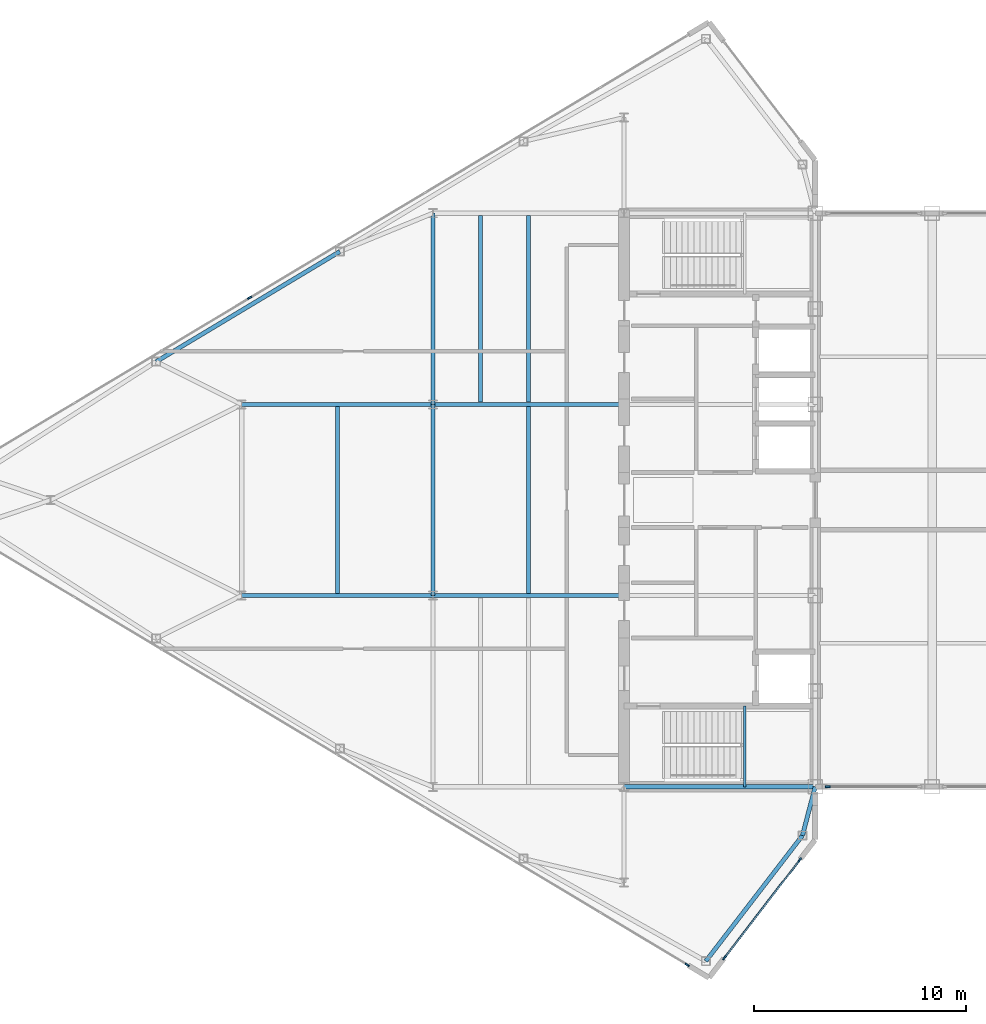
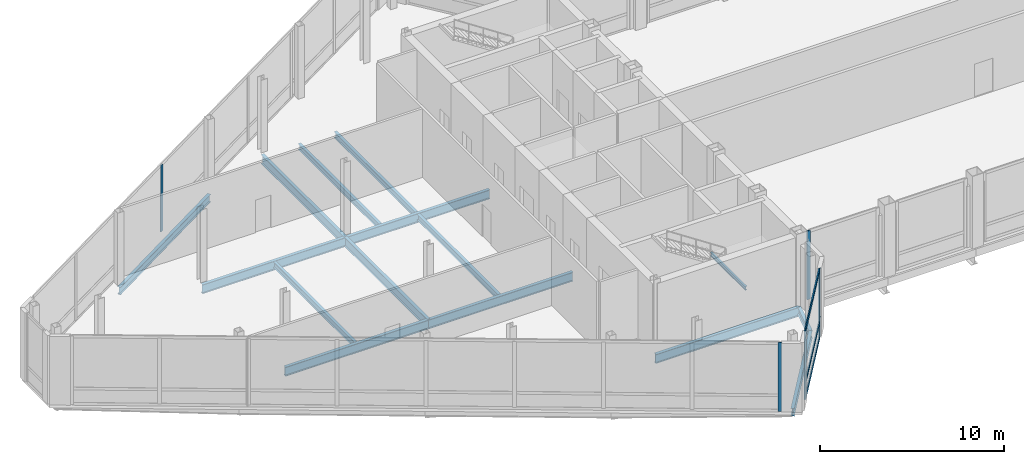
# One storey, part 9 of 29: 15 beams, 8 members, 4 elements without a shape of their own.
"""IFC4 building model written with IfcOpenShell, lengths in metres."""

from ifc_helpers import new_model, si_unit, direction, frame, origin, origin_2d, place, context, subcontext, project, spatial, rectangle, i_section, extrude, source, transform, mapped, material, layer, layer_set, material_profile, profile_set, type_object, type_shapes, element, aggregate, save


model = new_model("IFC4")

# Units and contexts
model_context = context("Model", 3, precision=1e-05, world=origin(), true_north=direction((0.0, 1.0)))
body_context = subcontext(model_context, "Body", "Model", "MODEL_VIEW")
ifc_project = project(units=[si_unit("LENGTHUNIT", "METRE"), si_unit("AREAUNIT", "SQUARE_METRE"), si_unit("VOLUMEUNIT", "CUBIC_METRE"), si_unit("PLANEANGLEUNIT", "RADIAN"), si_unit("MASSUNIT", "GRAM", prefix="KILO")], contexts=[model_context])

# Site, building, storey
site_placement = place(None, origin())
site = spatial("IfcSite", under=ifc_project, at=site_placement, CompositionType="ELEMENT")
building_placement = place(site_placement, origin())
building = spatial("IfcBuilding", under=site, at=building_placement, Name="Seokmaru Belvedere", CompositionType="ELEMENT")
storey_placement = place(building_placement, frame((0.0, 0.0, 269.39990234375)))
storey = spatial("IfcBuildingStorey", under=building, at=storey_placement, Name="L71", CompositionType="ELEMENT", Elevation=269.39990234375)

# Beams
ifc_material_1 = material(Name="Steel SM355 (355 MPa)", Category="steel")
ifc_material_profile_1 = material_profile(ifc_material_1, i_section(OverallWidth=0.199951171875, OverallDepth=0.60009765625, WebThickness=0.010986328125, FlangeThickness=0.01708984375, at=origin_2d()), Name="H-600x200x11x17")
ifc_profile_set_1 = profile_set([ifc_material_profile_1], Name="Steel SM355 (355 MPa)")
beam_type_1 = type_object("IfcBeamType", Name="Primary Floor Girder H-600", PredefinedType="BEAM", material=ifc_profile_set_1)
shared_shape_1 = source(origin(), body_context, "Body", "SweptSolid", [
    extrude(i_section(OverallWidth=0.199951171875, OverallDepth=0.60009765625, WebThickness=0.010986328125, FlangeThickness=0.01708984375, at=origin_2d()), origin(), (0.0, 0.0, 1.0), 9.0),
])
type_shapes(beam_type_1, [shared_shape_1])
for number, where, z_axis, x_axis, name in (
    (1, (-45.5, -4.5, -0.559814453125), (0.0, 1.0, 0.0), (-1.0, 0.0, 0.0), "L71 W Interior Grid Girder 2"),
    (2, (-45.5, 4.5, -0.559814453125), (0.0, 1.0, 0.0), (-1.0, 0.0, 0.0), "L71 W Interior Grid Girder 3"),
    (3, (-36.5, -13.5, -0.559814453125), (1.0, 0.0, 0.0), (0.0, 1.0, 0.0), "L71 W Core Tie Girder 1"),
    (4, (-45.5, -4.5, -0.559814453125), (1.0, 0.0, 0.0), (0.0, 1.0, 0.0), "L71 W Wing Primary Girder 2"),
    (5, (-45.5, 4.5, -0.559814453125), (1.0, 0.0, 0.0), (0.0, 1.0, 0.0), "L71 W Wing Primary Girder 3"),
    (6, (-54.5, -4.5, -0.559814453125), (1.0, 0.0, 0.0), (0.0, 1.0, 0.0), "L71 W Outer Wing Girder 1"),
    (7, (-54.5, 4.5, -0.559814453125), (1.0, 0.0, 0.0), (0.0, 1.0, 0.0), "L71 W Outer Wing Girder 2"),
):
    element("IfcBeam", number, at=place(storey_placement, frame(where, z_axis=z_axis, x_axis=x_axis)), inside=storey, type_object=beam_type_1, Name=name, PredefinedType="BEAM", context=body_context, shape_type="MappedRepresentation", body=[
        mapped(shared_shape_1, transform((0.0, 0.0, 0.0), scale=1.0)),
    ])
ifc_material_profile_2 = material_profile(ifc_material_1, i_section(OverallWidth=0.18505859375, OverallDepth=0.389892578125, WebThickness=0.008056640625, FlangeThickness=0.011962890625, at=origin_2d()), Name="H-390x185x8x12")
ifc_profile_set_2 = profile_set([ifc_material_profile_2], Name="Steel SM355 (355 MPa)")
beam_type_2 = type_object("IfcBeamType", Name="Secondary Floor Joist H-350", PredefinedType="JOIST", material=ifc_profile_set_2)
shared_shape_2 = source(origin(), body_context, "Body", "SweptSolid", [
    extrude(i_section(OverallWidth=0.18505859375, OverallDepth=0.389892578125, WebThickness=0.008056640625, FlangeThickness=0.011962890625, at=origin_2d()), origin(), (0.0, 0.0, 1.0), 8.7900390625),
])
type_shapes(beam_type_2, [shared_shape_2])
for number, where, z_axis, x_axis, name in (
    (8, (-43.25, 4.60498046875, -0.454833984375), (0.0, 1.0, 0.0), (-1.0, 0.0, 0.0), "L71 W Wing Inner Secondary Joist 2"),
    (9, (-41.0, -4.39501953125, -0.454833984375), (0.0, 1.0, 0.0), (-1.0, 0.0, 0.0), "L71 W Secondary Floor Joist 2"),
    (10, (-41.0, 4.60498046875, -0.454833984375), (0.0, 1.0, 0.0), (-1.0, 0.0, 0.0), "L71 W Secondary Floor Joist 3"),
    (11, (-50.0, -4.39501953125, -0.454833984375), (0.0, 1.0, 0.0), (-1.0, 0.0, 0.0), "L71 W Outer Bay Secondary Joist"),
):
    element("IfcBeam", number, at=place(storey_placement, frame(where, z_axis=z_axis, x_axis=x_axis)), inside=storey, type_object=beam_type_2, Name=name, PredefinedType="JOIST", context=body_context, shape_type="MappedRepresentation", body=[
        mapped(shared_shape_2, transform((0.0, 0.0, 0.0), scale=1.0)),
    ])
ifc_material_profile_3 = material_profile(ifc_material_1, i_section(OverallWidth=0.199951171875, OverallDepth=0.5, WebThickness=0.010009765625, FlangeThickness=0.01611328125, at=origin_2d()), Name="H-500x200x10x16")
ifc_profile_set_3 = profile_set([ifc_material_profile_3], Name="Steel SM355 (355 MPa)")
beam_type_3 = type_object("IfcBeamType", Name="Perimeter Spandrel Beam H-500", PredefinedType="SPANDREL", material=ifc_profile_set_3)
shared_shape_3 = source(origin(), body_context, "Body", "SweptSolid", [
    extrude(i_section(OverallWidth=0.199951171875, OverallDepth=0.5, WebThickness=0.010009765625, FlangeThickness=0.01611328125, at=origin_2d()), origin(), (0.0, 0.0, 1.0), 10.087646484375),
])
beam_1_placement = place(storey_placement, frame((-49.8798828125, 11.698974609375, -0.510009765625), z_axis=(-0.857488654804, -0.514502873542, 0.0), x_axis=(0.514502873542, -0.857488654804, 0.0)))
element("IfcBeam", 12, at=beam_1_placement, inside=storey, type_object=beam_type_3, Name="L71 W Faceted Flank Spandrel N-3", PredefinedType="SPANDREL", context=body_context, shape_type="MappedRepresentation", body=[
    mapped(shared_shape_3, transform((0.0, 0.0, 0.0), scale=1.0)),
])
shared_shape_4 = source(origin(), body_context, "Body", "SweptSolid", [
    extrude(i_section(OverallWidth=0.199951171875, OverallDepth=0.5, WebThickness=0.010009765625, FlangeThickness=0.01611328125, at=origin_2d()), origin(), (0.0, 0.0, 1.0), 7.4619140625),
])
beam_2_placement = place(storey_placement, frame((-32.649658203125, -21.71044921875, -0.510009765625), z_axis=(0.609702854945, 0.792630070507, 0.0), x_axis=(-0.792630070507, 0.609702854945, 0.0)))
element("IfcBeam", 13, at=beam_2_placement, inside=storey, type_object=beam_type_3, Name="L71 W Shoulder Chamfer Spandrel S", PredefinedType="SPANDREL", context=body_context, shape_type="MappedRepresentation", body=[
    mapped(shared_shape_4, transform((0.0, 0.0, 0.0), scale=1.0)),
])
shared_shape_5 = source(origin(), body_context, "Body", "SweptSolid", [
    extrude(i_section(OverallWidth=0.199951171875, OverallDepth=0.5, WebThickness=0.010009765625, FlangeThickness=0.01611328125, at=origin_2d()), origin(), (0.0, 0.0, 1.0), 2.373046875),
])
type_shapes(beam_type_3, [shared_shape_3, shared_shape_4, shared_shape_5])
beam_3_placement = place(storey_placement, frame((-28.10009765625, -15.7958984375, -0.510009765625), z_axis=(0.252882558842, 0.967496982648, 0.0), x_axis=(-0.967496982648, 0.252882558842, 0.0)))
element("IfcBeam", 14, at=beam_3_placement, inside=storey, type_object=beam_type_3, Name="L71 W Shoulder Spine Spandrel S", PredefinedType="SPANDREL", context=body_context, shape_type="MappedRepresentation", body=[
    mapped(shared_shape_5, transform((0.0, 0.0, 0.0), scale=1.0)),
])

# Curtain wall, member
ifc_material_2 = material(Name="Bronze Triple Insulating Glass", Category="glass")
ifc_layer = layer(ifc_material_2, 0.219970703125)
ifc_layer_set = layer_set([ifc_layer], Name="Bronze Triple Insulating Glass")
curtain_wall_type = type_object("IfcCurtainWallType", Name="Sky-Gate Bridge Panorama Curtain Wall System CW-6", PredefinedType="NOTDEFINED", material=ifc_layer_set)
curtain_wall_1_placement = place(storey_placement, origin())
curtain_wall_1 = element("IfcCurtainWall", 15, at=curtain_wall_1_placement, inside=storey, type_object=curtain_wall_type, Name="L71 Curtain Wall WF5", PredefinedType="NOTDEFINED")
ifc_material_3 = material(Name="Anodised Bronze Aluminium", Category="aluminium")
ifc_material_profile_4 = material_profile(ifc_material_3, rectangle(XDim=0.080078125, YDim=0.219970703125, at=origin_2d()), Name="CW-M-80x220")
ifc_profile_set_4 = profile_set([ifc_material_profile_4], Name="Anodised Bronze Aluminium")
member_type_1 = type_object("IfcMemberType", Name="Bronze Unitised Mullion 80x220", PredefinedType="MULLION", material=ifc_profile_set_4)
shared_shape_6 = source(origin(), body_context, "Body", "SweptSolid", [
    extrude(rectangle(XDim=0.080078125, YDim=0.219970703125, at=origin_2d()), origin(), (0.0, 0.0, 1.0), 4.5400390625),
])
member_1_placement = place(storey_placement, frame((-33.5205078125, -21.8876953125, 0.0), z_axis=(0.0, 0.0, 1.0), x_axis=(0.514494909364, 0.85749343335, 0.0)))
member_1 = element("IfcMember", 16, at=member_1_placement, type_object=member_type_1, Name="CW:L71:WF5 Mullion 9", PredefinedType="MULLION", context=body_context, shape_type="MappedRepresentation", body=[
    mapped(shared_shape_6, transform((0.0, 0.0, 0.0), scale=1.0)),
])
aggregate(curtain_wall_1, [member_1])

# Curtain wall, members
curtain_wall_2_placement = place(storey_placement, origin())
curtain_wall_2 = element("IfcCurtainWall", 17, at=curtain_wall_2_placement, inside=storey, type_object=curtain_wall_type, Name="L71 Curtain Wall WF6", PredefinedType="NOTDEFINED")
member_2_placement = place(storey_placement, frame((-31.7744140625, -21.556884765625, 0.0), z_axis=(0.0, 0.0, 1.0), x_axis=(-0.792631353244, 0.609701187349, 0.0)))
member_2 = element("IfcMember", 18, at=member_2_placement, type_object=member_type_1, Name="CW:L71:WF6 Mullion 1", PredefinedType="MULLION", context=body_context, shape_type="MappedRepresentation", body=[
    mapped(shared_shape_6, transform((0.0, 0.0, 0.0), scale=1.0)),
])
member_3_placement = place(storey_placement, frame((-28.2255859375, -16.943115234375, 0.0), z_axis=(0.0, 0.0, 1.0), x_axis=(-0.792631353244, 0.609701187349, 0.0)))
member_3 = element("IfcMember", 19, at=member_3_placement, type_object=member_type_1, Name="CW:L71:WF6 Mullion 2", PredefinedType="MULLION", context=body_context, shape_type="MappedRepresentation", body=[
    mapped(shared_shape_6, transform((0.0, 0.0, 0.0), scale=1.0)),
])

# Curtain wall, member
curtain_wall_3_placement = place(storey_placement, origin())
curtain_wall_3 = element("IfcCurtainWall", 20, at=curtain_wall_3_placement, inside=storey, type_object=curtain_wall_type, Name="L71 Curtain Wall BR_S01", PredefinedType="NOTDEFINED")
member_4_placement = place(storey_placement, frame((-26.909912109375, -13.5, 0.0), z_axis=(0.0, 0.0, 1.0), x_axis=(0.0, 1.0, 0.0)))
member_4 = element("IfcMember", 21, at=member_4_placement, type_object=member_type_1, Name="CW:L71:BR_S01 Mullion 1", PredefinedType="MULLION", context=body_context, shape_type="MappedRepresentation", body=[
    mapped(shared_shape_6, transform((0.0, 0.0, 0.0), scale=1.0)),
])
aggregate(curtain_wall_3, [member_4])

# Member
ifc_material_profile_5 = material_profile(ifc_material_3, rectangle(XDim=0.074951171875, YDim=0.179931640625, at=origin_2d()), Name="CW-T-75x180")
ifc_profile_set_5 = profile_set([ifc_material_profile_5], Name="Anodised Bronze Aluminium")
member_type_2 = type_object("IfcMemberType", Name="Bronze Unitised Transom 75x180", PredefinedType="USERDEFINED", material=ifc_profile_set_5)
shared_shape_7 = source(origin(), body_context, "Body", "SweptSolid", [
    extrude(rectangle(XDim=0.074951171875, YDim=0.179931640625, at=origin_2d()), origin(), (0.0, 0.0, 1.0), 5.74072265625),
])
type_shapes(member_type_2, [shared_shape_7])
member_5_placement = place(storey_placement, frame((-31.75, -21.525146484375, 0.03759765625), z_axis=(0.609686097287, 0.792642960465, 0.0), x_axis=(-0.792642960465, 0.609686097287, 0.0)))
member_5 = element("IfcMember", 22, at=member_5_placement, type_object=member_type_2, Name="CW:L71:WF6 Continuous Transom 1", ObjectType="TRANSOM", PredefinedType="USERDEFINED", context=body_context, shape_type="MappedRepresentation", body=[
    mapped(shared_shape_7, transform((0.0, 0.0, 0.0), scale=1.0)),
])

member_6_placement = place(storey_placement, frame((-31.75, -21.525146484375, 4.502685546875), z_axis=(0.609686097287, 0.792642960465, 0.0), x_axis=(-0.792642960465, 0.609686097287, 0.0)))
member_6 = element("IfcMember", 23, at=member_6_placement, type_object=member_type_2, Name="CW:L71:WF6 Continuous Transom 2", ObjectType="TRANSOM", PredefinedType="USERDEFINED", context=body_context, shape_type="MappedRepresentation", body=[
    mapped(shared_shape_7, transform((0.0, 0.0, 0.0), scale=1.0)),
])

member_7_placement = place(storey_placement, frame((-31.75, -21.525146484375, 1.050048828125), z_axis=(0.609686097287, 0.792642960465, 0.0), x_axis=(-0.792642960465, 0.609686097287, 0.0)))
member_7 = element("IfcMember", 24, at=member_7_placement, type_object=member_type_2, Name="CW:L71:WF6 Spandrel Transom 1", ObjectType="TRANSOM", PredefinedType="USERDEFINED", context=body_context, shape_type="MappedRepresentation", body=[
    mapped(shared_shape_7, transform((0.0, 0.0, 0.0), scale=1.0)),
])

aggregate(curtain_wall_2, [member_2, member_3, member_5, member_6, member_7])

# Curtain wall, member
curtain_wall_4_placement = place(storey_placement, origin())
curtain_wall_4 = element("IfcCurtainWall", 25, at=curtain_wall_4_placement, inside=storey, type_object=curtain_wall_type, Name="L71 Curtain Wall WF3", PredefinedType="NOTDEFINED")
shared_shape_8 = source(origin(), body_context, "Body", "SweptSolid", [
    extrude(rectangle(XDim=0.080078125, YDim=0.219970703125, at=origin_2d()), origin(), (0.0, 0.0, 1.0), 4.389892578125),
])
type_shapes(member_type_1, [shared_shape_6, shared_shape_8])
member_8_placement = place(storey_placement, frame((-54.12841796875, 9.52294921875, 0.0751953125), z_axis=(0.0, 0.0, 1.0), x_axis=(0.514494909364, -0.85749343335, 0.0)))
member_8 = element("IfcMember", 26, at=member_8_placement, type_object=member_type_1, Name="CW:L71:WF3 Mullion 6", PredefinedType="MULLION", context=body_context, shape_type="MappedRepresentation", body=[
    mapped(shared_shape_8, transform((0.0, 0.0, 0.0), scale=1.0)),
])
aggregate(curtain_wall_4, [member_8])

# Beam
ifc_material_profile_6 = material_profile(ifc_material_1, i_section(OverallWidth=0.125, OverallDepth=0.25, WebThickness=0.006103515625, FlangeThickness=0.009033203125, at=origin_2d()), Name="H-250x125x6x9")
ifc_profile_set_6 = profile_set([ifc_material_profile_6], Name="Steel SM355 (355 MPa)")
beam_type_4 = type_object("IfcBeamType", Name="Stair Mid-Landing Support Beam H-250", PredefinedType="JOIST", material=ifc_profile_set_6)
shared_shape_9 = source(origin(), body_context, "Body", "SweptSolid", [
    extrude(i_section(OverallWidth=0.125, OverallDepth=0.25, WebThickness=0.006103515625, FlangeThickness=0.009033203125, at=origin_2d()), origin(), (0.0, 0.0, 1.0), 3.800048828125),
])
type_shapes(beam_type_4, [shared_shape_9])
beam_4_placement = place(storey_placement, frame((-30.81005859375, -13.5, 2.0751953125), z_axis=(0.0, 1.0, 0.0), x_axis=(-1.0, 0.0, 0.0)))
element("IfcBeam", 27, at=beam_4_placement, inside=storey, type_object=beam_type_4, Name="L71 Stair ST-W1 Mid-Landing Support Beam 1", PredefinedType="JOIST", context=body_context, shape_type="MappedRepresentation", body=[
    mapped(shared_shape_9, transform((0.0, 0.0, 0.0), scale=1.0)),
])

save(model, "model.ifc")
